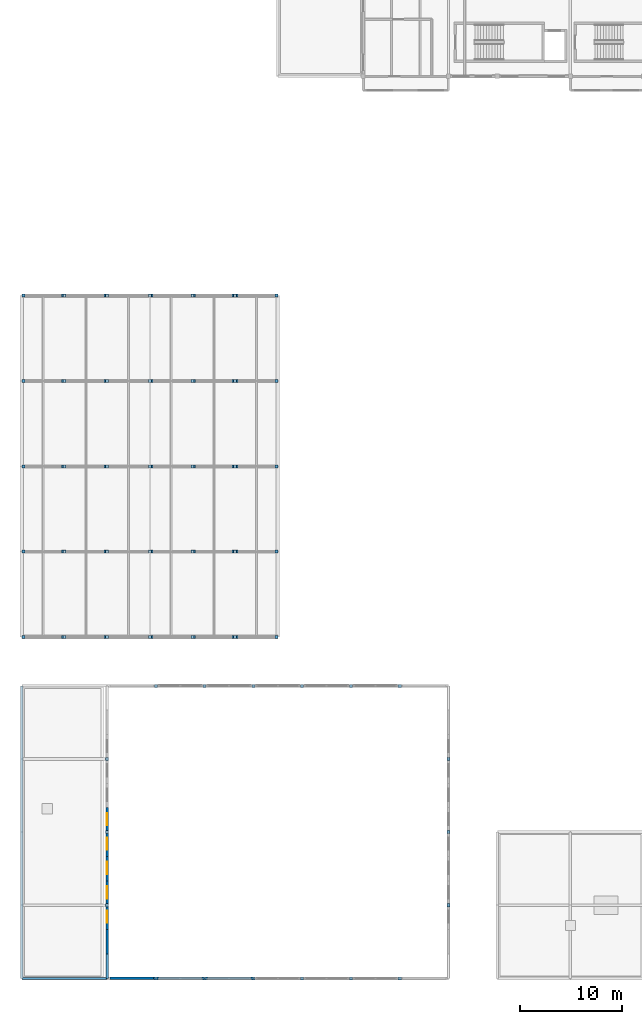
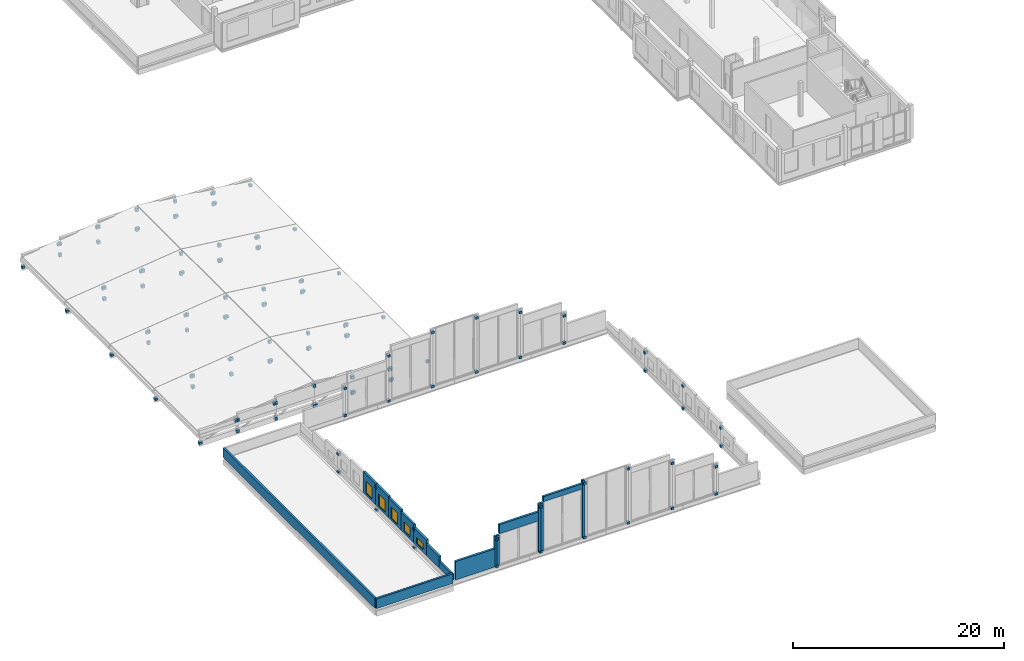
# One storey, part 23 of 34: 126 plates, 17 walls, 5 windows, 5 openings.
"""IFC4 building model written with IfcOpenShell, lengths in metres."""

from ifc_helpers import new_model, si_unit, direction, frame, frame_2d, origin, origin_2d, place, context, subcontext, project, spatial, rectangle, extrude, material, layer, layer_set, type_object, element, fill, save


model = new_model("IFC4")

# Units and contexts
model_context = context("Model", 3, precision=1e-05, world=origin(), true_north=direction((0.0, 1.0)))
body_context = subcontext(model_context, "Body", "Model", "MODEL_VIEW")
ifc_project = project(units=[si_unit("LENGTHUNIT", "METRE"), si_unit("AREAUNIT", "SQUARE_METRE"), si_unit("VOLUMEUNIT", "CUBIC_METRE"), si_unit("PLANEANGLEUNIT", "RADIAN"), si_unit("MASSUNIT", "GRAM", prefix="KILO")], contexts=[model_context])

# Site, building, storey
site_placement = place(None, origin())
site = spatial("IfcSite", under=ifc_project, at=site_placement, CompositionType="ELEMENT")
building_placement = place(site_placement, origin())
building = spatial("IfcBuilding", under=site, at=building_placement, Name="Kahlenmark Community Centre", CompositionType="ELEMENT")
storey_placement = place(building_placement, frame((0.0, 0.0, 17.699951171875)))
storey = spatial("IfcBuildingStorey", under=building, at=storey_placement, Name="L04", CompositionType="ELEMENT", Elevation=17.699951171875)

# Plates
ifc_material_1 = material(Name="Steel S355", Category="steel")
ifc_layer_1 = layer(ifc_material_1, 0.02392578125)
ifc_layer_set_1 = layer_set([ifc_layer_1], Name="Steel S355")
plate_type_1 = type_object("IfcPlateType", Name="PT-NODE-GN-01-30X30X36", PredefinedType="USERDEFINED", material=ifc_layer_set_1)
for number, where, z_axis, x_axis, name in (
    (1, (8.199951171875, 42.39990234375, -1.47998046875), (0.0, 0.0, 1.0), (1.0, 0.0, 0.0), "Steel hollow-node cap plate 0095"),
    (2, (8.199951171875, 42.39990234375, -0.18017578125), (0.0, 0.0, 1.0), (1.0, 0.0, 0.0), "Steel hollow-node cap plate 0096"),
    (3, (12.39990234375, 42.39990234375, -1.47998046875), (0.0, 0.0, 1.0), (1.0, 0.0, 0.0), "Steel hollow-node cap plate 0097"),
    (4, (12.39990234375, 42.39990234375, 0.31982421875), (0.0, 0.0, 1.0), (1.0, 0.0, 0.0), "Steel hollow-node cap plate 0098"),
    (5, (16.60009765625, 42.39990234375, -1.47998046875), (0.0, 0.0, 1.0), (1.0, 0.0, 0.0), "Steel hollow-node cap plate 0099"),
    (6, (16.60009765625, 42.39990234375, 0.81982421875), (0.0, 0.0, 1.0), (1.0, 0.0, 0.0), "Steel hollow-node cap plate 0100"),
    (7, (20.800048828125, 42.39990234375, -1.47998046875), (0.0, 0.0, 1.0), (1.0, 0.0, 0.0), "Steel hollow-node cap plate 0101"),
    (8, (20.800048828125, 42.39990234375, 0.31982421875), (0.0, 0.0, 1.0), (1.0, 0.0, 0.0), "Steel hollow-node cap plate 0102"),
    (9, (25.0, 42.39990234375, -1.47998046875), (0.0, 0.0, 1.0), (1.0, 0.0, 0.0), "Steel hollow-node cap plate 0103"),
    (10, (25.0, 42.39990234375, -0.18017578125), (0.0, 0.0, 1.0), (1.0, 0.0, 0.0), "Steel hollow-node cap plate 0104"),
    (11, (8.199951171875, 50.800048828125, -1.47998046875), (0.0, 0.0, 1.0), (1.0, 0.0, 0.0), "Steel hollow-node cap plate 0113"),
    (12, (8.199951171875, 50.800048828125, -0.18017578125), (0.0, 0.0, 1.0), (1.0, 0.0, 0.0), "Steel hollow-node cap plate 0114"),
    (13, (12.39990234375, 50.800048828125, -1.47998046875), (0.0, 0.0, 1.0), (1.0, 0.0, 0.0), "Steel hollow-node cap plate 0115"),
    (14, (12.39990234375, 50.800048828125, 0.31982421875), (0.0, 0.0, 1.0), (1.0, 0.0, 0.0), "Steel hollow-node cap plate 0116"),
    (15, (16.60009765625, 50.800048828125, -1.47998046875), (0.0, 0.0, 1.0), (1.0, 0.0, 0.0), "Steel hollow-node cap plate 0117"),
    (16, (16.60009765625, 50.800048828125, 0.81982421875), (0.0, 0.0, 1.0), (1.0, 0.0, 0.0), "Steel hollow-node cap plate 0118"),
    (17, (20.800048828125, 50.800048828125, -1.47998046875), (0.0, 0.0, 1.0), (1.0, 0.0, 0.0), "Steel hollow-node cap plate 0119"),
    (18, (20.800048828125, 50.800048828125, 0.31982421875), (0.0, 0.0, 1.0), (1.0, 0.0, 0.0), "Steel hollow-node cap plate 0120"),
    (19, (25.0, 50.800048828125, -1.47998046875), (0.0, 0.0, 1.0), (1.0, 0.0, 0.0), "Steel hollow-node cap plate 0121"),
    (20, (25.0, 50.800048828125, -0.18017578125), (0.0, 0.0, 1.0), (1.0, 0.0, 0.0), "Steel hollow-node cap plate 0122"),
    (21, (8.199951171875, 59.199951171875, -1.47998046875), (0.0, 0.0, 1.0), (1.0, 0.0, 0.0), "Steel hollow-node cap plate 0131"),
    (22, (8.199951171875, 59.199951171875, -0.18017578125), (0.0, 0.0, 1.0), (1.0, 0.0, 0.0), "Steel hollow-node cap plate 0132"),
    (23, (12.39990234375, 59.199951171875, -1.47998046875), (0.0, 0.0, 1.0), (1.0, 0.0, 0.0), "Steel hollow-node cap plate 0133"),
    (24, (12.39990234375, 59.199951171875, 0.31982421875), (0.0, 0.0, 1.0), (1.0, 0.0, 0.0), "Steel hollow-node cap plate 0134"),
    (25, (16.60009765625, 59.199951171875, -1.47998046875), (0.0, 0.0, 1.0), (1.0, 0.0, 0.0), "Steel hollow-node cap plate 0135"),
    (26, (16.60009765625, 59.199951171875, 0.81982421875), (0.0, 0.0, 1.0), (1.0, 0.0, 0.0), "Steel hollow-node cap plate 0136"),
    (27, (20.800048828125, 59.199951171875, -1.47998046875), (0.0, 0.0, 1.0), (1.0, 0.0, 0.0), "Steel hollow-node cap plate 0137"),
    (28, (20.800048828125, 59.199951171875, 0.31982421875), (0.0, 0.0, 1.0), (1.0, 0.0, 0.0), "Steel hollow-node cap plate 0138"),
    (29, (25.0, 59.199951171875, -1.47998046875), (0.0, 0.0, 1.0), (1.0, 0.0, 0.0), "Steel hollow-node cap plate 0139"),
    (30, (25.0, 59.199951171875, -0.18017578125), (0.0, 0.0, 1.0), (1.0, 0.0, 0.0), "Steel hollow-node cap plate 0140"),
    (31, (8.199951171875, 67.60009765625, -1.47998046875), (0.0, 0.0, 1.0), (1.0, 0.0, 0.0), "Steel hollow-node cap plate 0149"),
    (32, (8.199951171875, 67.60009765625, -0.18017578125), (0.0, 0.0, 1.0), (1.0, 0.0, 0.0), "Steel hollow-node cap plate 0150"),
    (33, (12.39990234375, 67.60009765625, -1.47998046875), (0.0, 0.0, 1.0), (1.0, 0.0, 0.0), "Steel hollow-node cap plate 0151"),
    (34, (12.39990234375, 67.60009765625, 0.31982421875), (0.0, 0.0, 1.0), (1.0, 0.0, 0.0), "Steel hollow-node cap plate 0152"),
    (35, (16.60009765625, 67.60009765625, -1.47998046875), (0.0, 0.0, 1.0), (1.0, 0.0, 0.0), "Steel hollow-node cap plate 0153"),
    (36, (16.60009765625, 67.60009765625, 0.81982421875), (0.0, 0.0, 1.0), (1.0, 0.0, 0.0), "Steel hollow-node cap plate 0154"),
    (37, (20.800048828125, 67.60009765625, -1.47998046875), (0.0, 0.0, 1.0), (1.0, 0.0, 0.0), "Steel hollow-node cap plate 0155"),
    (38, (20.800048828125, 67.60009765625, 0.31982421875), (0.0, 0.0, 1.0), (1.0, 0.0, 0.0), "Steel hollow-node cap plate 0156"),
    (39, (25.0, 67.60009765625, -1.47998046875), (0.0, 0.0, 1.0), (1.0, 0.0, 0.0), "Steel hollow-node cap plate 0157"),
    (40, (25.0, 67.60009765625, -0.18017578125), (0.0, 0.0, 1.0), (1.0, 0.0, 0.0), "Steel hollow-node cap plate 0158"),
    (41, (8.199951171875, 76.0, -1.47998046875), (0.0, 0.0, 1.0), (1.0, 0.0, 0.0), "Steel hollow-node cap plate 0167"),
    (42, (8.199951171875, 76.0, -0.18017578125), (0.0, 0.0, 1.0), (1.0, 0.0, 0.0), "Steel hollow-node cap plate 0168"),
    (43, (12.39990234375, 76.0, -1.47998046875), (0.0, 0.0, 1.0), (1.0, 0.0, 0.0), "Steel hollow-node cap plate 0169"),
    (44, (12.39990234375, 76.0, 0.31982421875), (0.0, 0.0, 1.0), (1.0, 0.0, 0.0), "Steel hollow-node cap plate 0170"),
    (45, (16.60009765625, 76.0, -1.47998046875), (0.0, 0.0, 1.0), (1.0, 0.0, 0.0), "Steel hollow-node cap plate 0171"),
    (46, (16.60009765625, 76.0, 0.81982421875), (0.0, 0.0, 1.0), (1.0, 0.0, 0.0), "Steel hollow-node cap plate 0172"),
    (47, (20.800048828125, 76.0, -1.47998046875), (0.0, 0.0, 1.0), (1.0, 0.0, 0.0), "Steel hollow-node cap plate 0173"),
    (48, (20.800048828125, 76.0, 0.31982421875), (0.0, 0.0, 1.0), (1.0, 0.0, 0.0), "Steel hollow-node cap plate 0174"),
    (49, (25.0, 76.0, -1.47998046875), (0.0, 0.0, 1.0), (1.0, 0.0, 0.0), "Steel hollow-node cap plate 0175"),
    (50, (25.0, 76.0, -0.18017578125), (0.0, 0.0, 1.0), (1.0, 0.0, 0.0), "Steel hollow-node cap plate 0176"),
):
    element("IfcPlate", number, at=place(storey_placement, frame(where, z_axis=z_axis, x_axis=x_axis)), inside=storey, type_object=plate_type_1, Name=name, ObjectType="STIFFENER_PLATE", PredefinedType="USERDEFINED", context=body_context, shape_type="SweptSolid", body=[
        extrude(rectangle(XDim=0.300048828125, YDim=0.300048828125, at=origin_2d()), origin(), (0.0, 0.0, 1.0), 0.360107421875),
    ])
ifc_layer_2 = layer(ifc_material_1, 0.02392578125)
ifc_layer_set_2 = layer_set([ifc_layer_2], Name="Steel S355")
plate_type_2 = type_object("IfcPlateType", Name="PT-NODE-GN-05-30X30X28", PredefinedType="USERDEFINED", material=ifc_layer_set_2)
for number, where, z_axis, x_axis, name in (
    (51, (12.39990234375, 16.0, -0.43994140625), (0.0, 0.0, 1.0), (1.0, 0.0, 0.0), "Steel hollow-node cap plate 0001"),
    (52, (12.39990234375, 16.0, 1.69287109375), (0.0, 0.0, 1.0), (1.0, 0.0, 0.0), "Steel hollow-node cap plate 0002"),
    (53, (12.39990234375, 23.199951171875, -0.43994140625), (0.0, 0.0, 1.0), (1.0, 0.0, 0.0), "Steel hollow-node cap plate 0003"),
    (54, (12.39990234375, 23.199951171875, 2.19384765625), (0.0, 0.0, 1.0), (1.0, 0.0, 0.0), "Steel hollow-node cap plate 0004"),
    (55, (12.39990234375, 30.39990234375, -0.43994140625), (0.0, 0.0, 1.0), (1.0, 0.0, 0.0), "Steel hollow-node cap plate 0005"),
    (56, (12.39990234375, 30.39990234375, 1.69287109375), (0.0, 0.0, 1.0), (1.0, 0.0, 0.0), "Steel hollow-node cap plate 0006"),
    (57, (17.199951171875, 8.800048828125, 0.14013671875), (0.0, 0.0, 1.0), (1.0, 0.0, 0.0), "Steel hollow-node cap plate 0007"),
    (58, (17.199951171875, 8.800048828125, 3.27783203125), (0.0, 0.0, 1.0), (1.0, 0.0, 0.0), "Steel hollow-node cap plate 0008"),
    (59, (17.199951171875, 37.60009765625, 0.14013671875), (0.0, 0.0, 1.0), (1.0, 0.0, 0.0), "Steel hollow-node cap plate 0009"),
    (60, (17.199951171875, 37.60009765625, 3.27783203125), (0.0, 0.0, 1.0), (1.0, 0.0, 0.0), "Steel hollow-node cap plate 0010"),
    (61, (22.0, 8.800048828125, 0.14013671875), (0.0, 0.0, 1.0), (1.0, 0.0, 0.0), "Steel hollow-node cap plate 0011"),
    (62, (22.0, 8.800048828125, 5.3564453125), (0.0, 0.0, 1.0), (1.0, 0.0, 0.0), "Steel hollow-node cap plate 0012"),
    (63, (22.0, 37.60009765625, 0.14013671875), (0.0, 0.0, 1.0), (1.0, 0.0, 0.0), "Steel hollow-node cap plate 0013"),
    (64, (22.0, 37.60009765625, 5.3564453125), (0.0, 0.0, 1.0), (1.0, 0.0, 0.0), "Steel hollow-node cap plate 0014"),
    (65, (26.800048828125, 8.800048828125, 0.14013671875), (0.0, 0.0, 1.0), (1.0, 0.0, 0.0), "Steel hollow-node cap plate 0015"),
    (66, (26.800048828125, 8.800048828125, 6.39599609375), (0.0, 0.0, 1.0), (1.0, 0.0, 0.0), "Steel hollow-node cap plate 0016"),
    (67, (26.800048828125, 37.60009765625, 0.14013671875), (0.0, 0.0, 1.0), (1.0, 0.0, 0.0), "Steel hollow-node cap plate 0017"),
    (68, (26.800048828125, 37.60009765625, 6.39599609375), (0.0, 0.0, 1.0), (1.0, 0.0, 0.0), "Steel hollow-node cap plate 0018"),
    (69, (31.60009765625, 8.800048828125, 0.14013671875), (0.0, 0.0, 1.0), (1.0, 0.0, 0.0), "Steel hollow-node cap plate 0019"),
    (70, (31.60009765625, 8.800048828125, 6.39599609375), (0.0, 0.0, 1.0), (1.0, 0.0, 0.0), "Steel hollow-node cap plate 0020"),
    (71, (31.60009765625, 37.60009765625, 0.14013671875), (0.0, 0.0, 1.0), (1.0, 0.0, 0.0), "Steel hollow-node cap plate 0021"),
    (72, (31.60009765625, 37.60009765625, 6.39599609375), (0.0, 0.0, 1.0), (1.0, 0.0, 0.0), "Steel hollow-node cap plate 0022"),
    (73, (36.39990234375, 8.800048828125, 0.14013671875), (0.0, 0.0, 1.0), (1.0, 0.0, 0.0), "Steel hollow-node cap plate 0023"),
    (74, (36.39990234375, 8.800048828125, 5.3564453125), (0.0, 0.0, 1.0), (1.0, 0.0, 0.0), "Steel hollow-node cap plate 0024"),
    (75, (36.39990234375, 37.60009765625, 0.14013671875), (0.0, 0.0, 1.0), (1.0, 0.0, 0.0), "Steel hollow-node cap plate 0025"),
    (76, (36.39990234375, 37.60009765625, 5.3564453125), (0.0, 0.0, 1.0), (1.0, 0.0, 0.0), "Steel hollow-node cap plate 0026"),
    (77, (41.199951171875, 8.800048828125, 0.14013671875), (0.0, 0.0, 1.0), (1.0, 0.0, 0.0), "Steel hollow-node cap plate 0027"),
    (78, (41.199951171875, 8.800048828125, 3.27783203125), (0.0, 0.0, 1.0), (1.0, 0.0, 0.0), "Steel hollow-node cap plate 0028"),
    (79, (41.199951171875, 37.60009765625, 0.14013671875), (0.0, 0.0, 1.0), (1.0, 0.0, 0.0), "Steel hollow-node cap plate 0029"),
    (80, (41.199951171875, 37.60009765625, 3.27783203125), (0.0, 0.0, 1.0), (1.0, 0.0, 0.0), "Steel hollow-node cap plate 0030"),
    (81, (46.0, 16.0, -0.43994140625), (0.0, 0.0, 1.0), (1.0, 0.0, 0.0), "Steel hollow-node cap plate 0031"),
    (82, (46.0, 16.0, 1.69287109375), (0.0, 0.0, 1.0), (1.0, 0.0, 0.0), "Steel hollow-node cap plate 0032"),
    (83, (46.0, 23.199951171875, -0.43994140625), (0.0, 0.0, 1.0), (1.0, 0.0, 0.0), "Steel hollow-node cap plate 0033"),
    (84, (46.0, 23.199951171875, 2.19384765625), (0.0, 0.0, 1.0), (1.0, 0.0, 0.0), "Steel hollow-node cap plate 0034"),
    (85, (46.0, 30.39990234375, -0.43994140625), (0.0, 0.0, 1.0), (1.0, 0.0, 0.0), "Steel hollow-node cap plate 0035"),
    (86, (46.0, 30.39990234375, 1.69287109375), (0.0, 0.0, 1.0), (1.0, 0.0, 0.0), "Steel hollow-node cap plate 0036"),
):
    element("IfcPlate", number, at=place(storey_placement, frame(where, z_axis=z_axis, x_axis=x_axis)), inside=storey, type_object=plate_type_2, Name=name, ObjectType="STIFFENER_PLATE", PredefinedType="USERDEFINED", context=body_context, shape_type="SweptSolid", body=[
        extrude(rectangle(XDim=0.300048828125, YDim=0.300048828125, at=origin_2d()), origin(), (0.0, 0.0, 1.0), 0.280029296875),
    ])
ifc_layer_3 = layer(ifc_material_1, 0.02392578125)
ifc_layer_set_3 = layer_set([ifc_layer_3], Name="Steel S355")
plate_type_3 = type_object("IfcPlateType", Name="PT-NODE-TN-01-30X30X28", PredefinedType="USERDEFINED", material=ifc_layer_set_3)
for number, where, z_axis, x_axis, name in (
    (87, (4.14990234375, 42.39990234375, -1.39013671875), (0.0, 0.0, 1.0), (1.0, 0.0, 0.0), "Steel hollow-node cap plate 0105"),
    (88, (8.050048828125, 42.39990234375, -0.18994140625), (0.0, 0.0, 1.0), (1.0, 0.0, 0.0), "Steel hollow-node cap plate 0106"),
    (89, (12.25, 42.39990234375, 0.31005859375), (0.0, 0.0, 1.0), (1.0, 0.0, 0.0), "Steel hollow-node cap plate 0107"),
    (90, (16.75, 42.39990234375, -1.39013671875), (0.0, 0.0, 1.0), (1.0, 0.0, 0.0), "Steel hollow-node cap plate 0108"),
    (91, (20.949951171875, 42.39990234375, -1.39013671875), (0.0, 0.0, 1.0), (1.0, 0.0, 0.0), "Steel hollow-node cap plate 0109"),
    (92, (24.85009765625, 42.39990234375, -0.18994140625), (0.0, 0.0, 1.0), (1.0, 0.0, 0.0), "Steel hollow-node cap plate 0110"),
    (93, (25.14990234375, 42.39990234375, -1.39013671875), (0.0, 0.0, 1.0), (1.0, 0.0, 0.0), "Steel hollow-node cap plate 0111"),
    (94, (29.050048828125, 42.39990234375, -0.68994140625), (0.0, 0.0, 1.0), (1.0, 0.0, 0.0), "Steel hollow-node cap plate 0112"),
    (95, (4.14990234375, 50.800048828125, -1.39013671875), (0.0, 0.0, 1.0), (1.0, 0.0, 0.0), "Steel hollow-node cap plate 0123"),
    (96, (8.050048828125, 50.800048828125, -0.18994140625), (0.0, 0.0, 1.0), (1.0, 0.0, 0.0), "Steel hollow-node cap plate 0124"),
    (97, (12.25, 50.800048828125, 0.31005859375), (0.0, 0.0, 1.0), (1.0, 0.0, 0.0), "Steel hollow-node cap plate 0125"),
    (98, (16.75, 50.800048828125, -1.39013671875), (0.0, 0.0, 1.0), (1.0, 0.0, 0.0), "Steel hollow-node cap plate 0126"),
    (99, (20.949951171875, 50.800048828125, -1.39013671875), (0.0, 0.0, 1.0), (1.0, 0.0, 0.0), "Steel hollow-node cap plate 0127"),
    (100, (24.85009765625, 50.800048828125, -0.18994140625), (0.0, 0.0, 1.0), (1.0, 0.0, 0.0), "Steel hollow-node cap plate 0128"),
    (101, (25.14990234375, 50.800048828125, -1.39013671875), (0.0, 0.0, 1.0), (1.0, 0.0, 0.0), "Steel hollow-node cap plate 0129"),
    (102, (29.050048828125, 50.800048828125, -0.68994140625), (0.0, 0.0, 1.0), (1.0, 0.0, 0.0), "Steel hollow-node cap plate 0130"),
    (103, (4.14990234375, 59.199951171875, -1.39013671875), (0.0, 0.0, 1.0), (1.0, 0.0, 0.0), "Steel hollow-node cap plate 0141"),
    (104, (8.050048828125, 59.199951171875, -0.18994140625), (0.0, 0.0, 1.0), (1.0, 0.0, 0.0), "Steel hollow-node cap plate 0142"),
    (105, (12.25, 59.199951171875, 0.31005859375), (0.0, 0.0, 1.0), (1.0, 0.0, 0.0), "Steel hollow-node cap plate 0143"),
    (106, (16.75, 59.199951171875, -1.39013671875), (0.0, 0.0, 1.0), (1.0, 0.0, 0.0), "Steel hollow-node cap plate 0144"),
    (107, (20.949951171875, 59.199951171875, -1.39013671875), (0.0, 0.0, 1.0), (1.0, 0.0, 0.0), "Steel hollow-node cap plate 0145"),
    (108, (24.85009765625, 59.199951171875, -0.18994140625), (0.0, 0.0, 1.0), (1.0, 0.0, 0.0), "Steel hollow-node cap plate 0146"),
    (109, (25.14990234375, 59.199951171875, -1.39013671875), (0.0, 0.0, 1.0), (1.0, 0.0, 0.0), "Steel hollow-node cap plate 0147"),
    (110, (29.050048828125, 59.199951171875, -0.68994140625), (0.0, 0.0, 1.0), (1.0, 0.0, 0.0), "Steel hollow-node cap plate 0148"),
    (111, (4.14990234375, 67.60009765625, -1.39013671875), (0.0, 0.0, 1.0), (1.0, 0.0, 0.0), "Steel hollow-node cap plate 0159"),
    (112, (8.050048828125, 67.60009765625, -0.18994140625), (0.0, 0.0, 1.0), (1.0, 0.0, 0.0), "Steel hollow-node cap plate 0160"),
    (113, (12.25, 67.60009765625, 0.31005859375), (0.0, 0.0, 1.0), (1.0, 0.0, 0.0), "Steel hollow-node cap plate 0161"),
    (114, (16.75, 67.60009765625, -1.39013671875), (0.0, 0.0, 1.0), (1.0, 0.0, 0.0), "Steel hollow-node cap plate 0162"),
    (115, (20.949951171875, 67.60009765625, -1.39013671875), (0.0, 0.0, 1.0), (1.0, 0.0, 0.0), "Steel hollow-node cap plate 0163"),
    (116, (24.85009765625, 67.60009765625, -0.18994140625), (0.0, 0.0, 1.0), (1.0, 0.0, 0.0), "Steel hollow-node cap plate 0164"),
    (117, (25.14990234375, 67.60009765625, -1.39013671875), (0.0, 0.0, 1.0), (1.0, 0.0, 0.0), "Steel hollow-node cap plate 0165"),
    (118, (29.050048828125, 67.60009765625, -0.68994140625), (0.0, 0.0, 1.0), (1.0, 0.0, 0.0), "Steel hollow-node cap plate 0166"),
    (119, (4.14990234375, 76.0, -1.39013671875), (0.0, 0.0, 1.0), (1.0, 0.0, 0.0), "Steel hollow-node cap plate 0177"),
    (120, (8.050048828125, 76.0, -0.18994140625), (0.0, 0.0, 1.0), (1.0, 0.0, 0.0), "Steel hollow-node cap plate 0178"),
    (121, (12.25, 76.0, 0.31005859375), (0.0, 0.0, 1.0), (1.0, 0.0, 0.0), "Steel hollow-node cap plate 0179"),
    (122, (16.75, 76.0, -1.39013671875), (0.0, 0.0, 1.0), (1.0, 0.0, 0.0), "Steel hollow-node cap plate 0180"),
    (123, (20.949951171875, 76.0, -1.39013671875), (0.0, 0.0, 1.0), (1.0, 0.0, 0.0), "Steel hollow-node cap plate 0181"),
    (124, (24.85009765625, 76.0, -0.18994140625), (0.0, 0.0, 1.0), (1.0, 0.0, 0.0), "Steel hollow-node cap plate 0182"),
    (125, (25.14990234375, 76.0, -1.39013671875), (0.0, 0.0, 1.0), (1.0, 0.0, 0.0), "Steel hollow-node cap plate 0183"),
    (126, (29.050048828125, 76.0, -0.68994140625), (0.0, 0.0, 1.0), (1.0, 0.0, 0.0), "Steel hollow-node cap plate 0184"),
):
    element("IfcPlate", number, at=place(storey_placement, frame(where, z_axis=z_axis, x_axis=x_axis)), inside=storey, type_object=plate_type_3, Name=name, ObjectType="STIFFENER_PLATE", PredefinedType="USERDEFINED", context=body_context, shape_type="SweptSolid", body=[
        extrude(rectangle(XDim=0.300048828125, YDim=0.300048828125, at=origin_2d()), origin(), (0.0, 0.0, 1.0), 0.280029296875),
    ])

# Walls
ifc_material_2 = material(Name="Cross-laminated timber CLT C24", Category="wood")
ifc_layer_4 = layer(ifc_material_2, 0.239990234375)
ifc_layer_set_4 = layer_set([ifc_layer_4], Name="Cross-laminated timber CLT C24")
wall_type_1 = type_object("IfcWallType", Name="WT-EW-240", PredefinedType="SOLIDWALL", material=ifc_layer_set_4)
wall_1_placement = place(storey_placement, frame((16.93994140625, 8.800048828125, 0.300048828125), z_axis=(0.0, 0.0, 1.0), x_axis=(1.0, 0.0, 0.0)))
element("IfcWall", 127, at=wall_1_placement, inside=storey, type_object=wall_type_1, Name="Main Hall arch pier 0856", PredefinedType="SOLIDWALL", context=body_context, shape_type="SweptSolid", body=[
    extrude(rectangle(XDim=0.260009765625, YDim=0.239990234375, at=frame_2d((0.1298828125, 0.0))), origin(), (0.0, 0.0, 1.0), 3.51806640625),
])
wall_2_placement = place(storey_placement, frame((12.659912109375, 8.800048828125, 0.300048828125), z_axis=(0.0, 0.0, 1.0), x_axis=(1.0, 0.0, 0.0)))
element("IfcWall", 128, at=wall_2_placement, inside=storey, type_object=wall_type_1, Name="Main Hall arch haunch wall 0857", PredefinedType="SOLIDWALL", context=body_context, shape_type="SweptSolid", body=[
    extrude(rectangle(XDim=4.280029296875, YDim=0.239990234375, at=frame_2d((2.14013671875, 0.0))), origin(), (0.0, 0.0, 1.0), 2.10888671875),
])
wall_3_placement = place(storey_placement, frame((17.199951171875, 8.800048828125, 0.300048828125), z_axis=(0.0, 0.0, 1.0), x_axis=(1.0, 0.0, 0.0)))
element("IfcWall", 129, at=wall_3_placement, inside=storey, type_object=wall_type_1, Name="Main Hall arch pier 0858", PredefinedType="SOLIDWALL", context=body_context, shape_type="SweptSolid", body=[
    extrude(rectangle(XDim=0.260009765625, YDim=0.239990234375, at=frame_2d((0.1298828125, 0.0))), origin(), (0.0, 0.0, 1.0), 3.51806640625),
])
wall_4_placement = place(storey_placement, frame((21.739990234375, 8.800048828125, 0.300048828125), z_axis=(0.0, 0.0, 1.0), x_axis=(1.0, 0.0, 0.0)))
element("IfcWall", 130, at=wall_4_placement, inside=storey, type_object=wall_type_1, Name="Main Hall arch pier 0859", PredefinedType="SOLIDWALL", context=body_context, shape_type="SweptSolid", body=[
    extrude(rectangle(XDim=0.260009765625, YDim=0.239990234375, at=frame_2d((0.1298828125, 0.0))), origin(), (0.0, 0.0, 1.0), 5.5966796875),
])
wall_5_placement = place(storey_placement, frame((17.4599609375, 8.800048828125, 3.957275390625), z_axis=(0.0, 0.0, 1.0), x_axis=(1.0, 0.0, 0.0)))
element("IfcWall", 131, at=wall_5_placement, inside=storey, type_object=wall_type_1, Name="Main Hall arch crown spandrel 0860", PredefinedType="SOLIDWALL", context=body_context, shape_type="SweptSolid", body=[
    extrude(rectangle(XDim=4.280029296875, YDim=0.239990234375, at=frame_2d((2.14013671875, 0.0))), origin(), (0.0, 0.0, 1.0), 1.050048828125),
])
wall_6_placement = place(storey_placement, frame((22.0, 8.800048828125, 0.300048828125), z_axis=(0.0, 0.0, 1.0), x_axis=(1.0, 0.0, 0.0)))
element("IfcWall", 132, at=wall_6_placement, inside=storey, type_object=wall_type_1, Name="Main Hall arch pier 0861", PredefinedType="SOLIDWALL", context=body_context, shape_type="SweptSolid", body=[
    extrude(rectangle(XDim=0.260009765625, YDim=0.239990234375, at=frame_2d((0.1298828125, 0.0))), origin(), (0.0, 0.0, 1.0), 5.5966796875),
])
wall_7_placement = place(storey_placement, frame((26.5400390625, 8.800048828125, 0.300048828125), z_axis=(0.0, 0.0, 1.0), x_axis=(1.0, 0.0, 0.0)))
element("IfcWall", 133, at=wall_7_placement, inside=storey, type_object=wall_type_1, Name="Main Hall arch pier 0862", PredefinedType="SOLIDWALL", context=body_context, shape_type="SweptSolid", body=[
    extrude(rectangle(XDim=0.260009765625, YDim=0.239990234375, at=frame_2d((0.1298828125, 0.0))), origin(), (0.0, 0.0, 1.0), 6.635986328125),
])
wall_8_placement = place(storey_placement, frame((22.260009765625, 8.800048828125, 5.979736328125), z_axis=(0.0, 0.0, 1.0), x_axis=(1.0, 0.0, 0.0)))
element("IfcWall", 134, at=wall_8_placement, inside=storey, type_object=wall_type_1, Name="Main Hall arch crown spandrel 0863", PredefinedType="SOLIDWALL", context=body_context, shape_type="SweptSolid", body=[
    extrude(rectangle(XDim=4.280029296875, YDim=0.239990234375, at=frame_2d((2.14013671875, 0.0))), origin(), (0.0, 0.0, 1.0), 0.58642578125),
])
wall_9_placement = place(storey_placement, frame((12.39990234375, 8.800048828125, 0.300048828125), z_axis=(0.0, 0.0, 1.0), x_axis=(0.0, 1.0, 0.0)))
element("IfcWall", 135, at=wall_9_placement, inside=storey, type_object=wall_type_1, Name="Main Hall lunette wall WL-TYMP-EW-0892", PredefinedType="SOLIDWALL", context=body_context, shape_type="SweptSolid", body=[
    extrude(rectangle(XDim=2.39990234375, YDim=0.239990234375, at=frame_2d((1.199951171875, 0.0))), origin(), (0.0, 0.0, 1.0), 0.750244140625),
])
wall_10_placement = place(storey_placement, frame((12.39990234375, 11.199951171875, 0.300048828125), z_axis=(0.0, 0.0, 1.0), x_axis=(0.0, 1.0, 0.0)))
element("IfcWall", 136, at=wall_10_placement, inside=storey, type_object=wall_type_1, Name="Main Hall lunette wall WL-TYMP-EW-0893", PredefinedType="SOLIDWALL", context=body_context, shape_type="SweptSolid", body=[
    extrude(rectangle(XDim=2.400146484375, YDim=0.239990234375, at=frame_2d((1.2001953125, 0.0))), origin(), (0.0, 0.0, 1.0), 1.319580078125),
])

# Wall, opening, window
wall_11_placement = place(storey_placement, frame((12.39990234375, 13.60009765625, 0.300048828125), z_axis=(0.0, 0.0, 1.0), x_axis=(0.0, 1.0, 0.0)))
wall_11 = element("IfcWall", 137, at=wall_11_placement, inside=storey, type_object=wall_type_1, Name="Main Hall lunette wall WL-TYMP-EW-0894", PredefinedType="SOLIDWALL", context=body_context, shape_type="SweptSolid", body=[
    extrude(rectangle(XDim=2.39990234375, YDim=0.239990234375, at=frame_2d((1.199951171875, 0.0))), origin(), (0.0, 0.0, 1.0), 1.770751953125),
])
opening_1_placement = place(wall_11_placement, frame((0.659912109375, 0.0, 0.25)))
opening_1 = element("IfcOpeningElement", 138, at=opening_1_placement, cuts=wall_11, Name="Opening W-120X073", PredefinedType="OPENING", context=body_context, shape_type="SweptSolid", body=[
    extrude(rectangle(XDim=1.199951171875, YDim=0.73095703125, at=frame_2d((0.60009765625, 0.365478515625))), frame((0.0, 0.1298828125, 0.0), z_axis=(0.0, -1.0, 0.0), x_axis=(1.0, 0.0, 0.0)), (0.0, 0.0, 1.0), 0.260009765625),
])
ifc_material_3 = material(Name="Triple low-e insulated glazing in timber-aluminium frame", Category="wood")
window_type_1 = type_object("IfcWindowType", Name="WNT-120X073", PartitioningType="SINGLE_PANEL", PredefinedType="WINDOW", material=ifc_material_3)
window_1_placement = place(opening_1_placement, origin())
window_1 = element("IfcWindow", 139, at=window_1_placement, inside=storey, type_object=window_type_1, Name="Window W-120X073 #0535", OverallHeight=0.73095703125, OverallWidth=1.199951171875, PartitioningType="SINGLE_PANEL", PredefinedType="WINDOW", context=body_context, shape_type="SweptSolid", body=[
    extrude(rectangle(XDim=1.199951171875, YDim=0.73095703125, at=frame_2d((0.60009765625, 0.365478515625))), frame((0.0, 0.030029296875, 0.0), z_axis=(0.0, -1.0, 0.0), x_axis=(1.0, 0.0, 0.0)), (0.0, 0.0, 1.0), 0.06005859375),
])
fill(opening_1, window_1)

wall_12_placement = place(storey_placement, frame((12.39990234375, 16.0, 0.300048828125), z_axis=(0.0, 0.0, 1.0), x_axis=(0.0, 1.0, 0.0)))
wall_12 = element("IfcWall", 140, at=wall_12_placement, inside=storey, type_object=wall_type_1, Name="Main Hall lunette wall WL-TYMP-EW-0895", PredefinedType="SOLIDWALL", context=body_context, shape_type="SweptSolid", body=[
    extrude(rectangle(XDim=2.39990234375, YDim=0.239990234375, at=frame_2d((1.199951171875, 0.0))), origin(), (0.0, 0.0, 1.0), 2.106201171875),
])
opening_2_placement = place(wall_12_placement, frame((0.659912109375, 0.0, 0.25)))
opening_2 = element("IfcOpeningElement", 141, at=opening_2_placement, cuts=wall_12, Name="Opening W-120X107", PredefinedType="OPENING", context=body_context, shape_type="SweptSolid", body=[
    extrude(rectangle(XDim=1.199951171875, YDim=1.06591796875, at=frame_2d((0.60009765625, 0.532958984375))), frame((0.0, 0.1298828125, 0.0), z_axis=(0.0, -1.0, 0.0), x_axis=(1.0, 0.0, 0.0)), (0.0, 0.0, 1.0), 0.260009765625),
])
window_type_2 = type_object("IfcWindowType", Name="WNT-120X107", PartitioningType="SINGLE_PANEL", PredefinedType="WINDOW", material=ifc_material_3)
window_2_placement = place(opening_2_placement, origin())
window_2 = element("IfcWindow", 142, at=window_2_placement, inside=storey, type_object=window_type_2, Name="Window W-120X107 #0536", OverallHeight=1.06591796875, OverallWidth=1.199951171875, PartitioningType="SINGLE_PANEL", PredefinedType="WINDOW", context=body_context, shape_type="SweptSolid", body=[
    extrude(rectangle(XDim=1.199951171875, YDim=1.06591796875, at=frame_2d((0.60009765625, 0.532958984375))), frame((0.0, 0.030029296875, 0.0), z_axis=(0.0, -1.0, 0.0), x_axis=(1.0, 0.0, 0.0)), (0.0, 0.0, 1.0), 0.06005859375),
])
fill(opening_2, window_2)

wall_13_placement = place(storey_placement, frame((12.39990234375, 18.39990234375, 0.300048828125), z_axis=(0.0, 0.0, 1.0), x_axis=(0.0, 1.0, 0.0)))
wall_13 = element("IfcWall", 143, at=wall_13_placement, inside=storey, type_object=wall_type_1, Name="Main Hall lunette wall WL-TYMP-EW-0896", PredefinedType="SOLIDWALL", context=body_context, shape_type="SweptSolid", body=[
    extrude(rectangle(XDim=2.400146484375, YDim=0.239990234375, at=frame_2d((1.2001953125, 0.0))), origin(), (0.0, 0.0, 1.0), 2.328857421875),
])
opening_3_placement = place(wall_13_placement, frame((0.659912109375, 0.0, 0.25)))
opening_3 = element("IfcOpeningElement", 144, at=opening_3_placement, cuts=wall_13, Name="Opening W-120X129", PredefinedType="OPENING", context=body_context, shape_type="SweptSolid", body=[
    extrude(rectangle(XDim=1.199951171875, YDim=1.2890625, at=frame_2d((0.60009765625, 0.64453125))), frame((0.0, 0.1298828125, 0.0), z_axis=(0.0, -1.0, 0.0), x_axis=(1.0, 0.0, 0.0)), (0.0, 0.0, 1.0), 0.260009765625),
])
window_type_3 = type_object("IfcWindowType", Name="WNT-120X129", PartitioningType="SINGLE_PANEL", PredefinedType="WINDOW", material=ifc_material_3)
window_3_placement = place(opening_3_placement, origin())
window_3 = element("IfcWindow", 145, at=window_3_placement, inside=storey, type_object=window_type_3, Name="Window W-120X129 #0537", OverallHeight=1.2890625, OverallWidth=1.199951171875, PartitioningType="SINGLE_PANEL", PredefinedType="WINDOW", context=body_context, shape_type="SweptSolid", body=[
    extrude(rectangle(XDim=1.199951171875, YDim=1.2890625, at=frame_2d((0.60009765625, 0.64453125))), frame((0.0, 0.030029296875, 0.0), z_axis=(0.0, -1.0, 0.0), x_axis=(1.0, 0.0, 0.0)), (0.0, 0.0, 1.0), 0.06005859375),
])
fill(opening_3, window_3)

wall_14_placement = place(storey_placement, frame((12.39990234375, 20.800048828125, 0.300048828125), z_axis=(0.0, 0.0, 1.0), x_axis=(0.0, 1.0, 0.0)))
wall_14 = element("IfcWall", 146, at=wall_14_placement, inside=storey, type_object=wall_type_1, Name="Main Hall lunette wall WL-TYMP-EW-0897", PredefinedType="SOLIDWALL", context=body_context, shape_type="SweptSolid", body=[
    extrude(rectangle(XDim=2.39990234375, YDim=0.239990234375, at=frame_2d((1.199951171875, 0.0))), origin(), (0.0, 0.0, 1.0), 2.439697265625),
])
opening_4_placement = place(wall_14_placement, frame((0.659912109375, 0.0, 0.25)))
opening_4 = element("IfcOpeningElement", 147, at=opening_4_placement, cuts=wall_14, Name="Opening W-120X140", PredefinedType="OPENING", context=body_context, shape_type="SweptSolid", body=[
    extrude(rectangle(XDim=1.199951171875, YDim=1.39990234375, at=frame_2d((0.60009765625, 0.699951171875))), frame((0.0, 0.1298828125, 0.0), z_axis=(0.0, -1.0, 0.0), x_axis=(1.0, 0.0, 0.0)), (0.0, 0.0, 1.0), 0.260009765625),
])
window_type_4 = type_object("IfcWindowType", Name="WNT-120X140", PartitioningType="SINGLE_PANEL", PredefinedType="WINDOW", material=ifc_material_3)
window_4_placement = place(opening_4_placement, origin())
window_4 = element("IfcWindow", 148, at=window_4_placement, inside=storey, type_object=window_type_4, Name="Window W-120X140 #0538", OverallHeight=1.39990234375, OverallWidth=1.199951171875, PartitioningType="SINGLE_PANEL", PredefinedType="WINDOW", context=body_context, shape_type="SweptSolid", body=[
    extrude(rectangle(XDim=1.199951171875, YDim=1.39990234375, at=frame_2d((0.60009765625, 0.699951171875))), frame((0.0, 0.030029296875, 0.0), z_axis=(0.0, -1.0, 0.0), x_axis=(1.0, 0.0, 0.0)), (0.0, 0.0, 1.0), 0.06005859375),
])
fill(opening_4, window_4)

wall_15_placement = place(storey_placement, frame((12.39990234375, 23.199951171875, 0.300048828125), z_axis=(0.0, 0.0, 1.0), x_axis=(0.0, 1.0, 0.0)))
wall_15 = element("IfcWall", 149, at=wall_15_placement, inside=storey, type_object=wall_type_1, Name="Main Hall lunette wall WL-TYMP-EW-0898", PredefinedType="SOLIDWALL", context=body_context, shape_type="SweptSolid", body=[
    extrude(rectangle(XDim=2.400146484375, YDim=0.239990234375, at=frame_2d((1.2001953125, 0.0))), origin(), (0.0, 0.0, 1.0), 2.439697265625),
])
opening_5_placement = place(wall_15_placement, frame((0.659912109375, 0.0, 0.25)))
opening_5 = element("IfcOpeningElement", 150, at=opening_5_placement, cuts=wall_15, Name="Opening W-120X140", PredefinedType="OPENING", context=body_context, shape_type="SweptSolid", body=[
    extrude(rectangle(XDim=1.199951171875, YDim=1.39990234375, at=frame_2d((0.60009765625, 0.699951171875))), frame((0.0, 0.1298828125, 0.0), z_axis=(0.0, -1.0, 0.0), x_axis=(1.0, 0.0, 0.0)), (0.0, 0.0, 1.0), 0.260009765625),
])
window_5_placement = place(opening_5_placement, origin())
window_5 = element("IfcWindow", 151, at=window_5_placement, inside=storey, type_object=window_type_4, Name="Window W-120X140 #0539", OverallHeight=1.39990234375, OverallWidth=1.199951171875, PartitioningType="SINGLE_PANEL", PredefinedType="WINDOW", context=body_context, shape_type="SweptSolid", body=[
    extrude(rectangle(XDim=1.199951171875, YDim=1.39990234375, at=frame_2d((0.60009765625, 0.699951171875))), frame((0.0, 0.030029296875, 0.0), z_axis=(0.0, -1.0, 0.0), x_axis=(1.0, 0.0, 0.0)), (0.0, 0.0, 1.0), 0.06005859375),
])
fill(opening_5, window_5)

# Walls
ifc_material_4 = material(Name="Concrete C30/37", Category="concrete")
ifc_layer_5 = layer(ifc_material_4, 0.219970703125)
ifc_layer_set_5 = layer_set([ifc_layer_5], Name="Concrete C30/37")
wall_type_2 = type_object("IfcWallType", Name="WT-PAR-220", PredefinedType="PARAPET", material=ifc_layer_set_5)
wall_16_placement = place(storey_placement, frame((4.0, 8.800048828125, 0.0), z_axis=(0.0, 0.0, 1.0), x_axis=(1.0, 0.0, 0.0)))
element("IfcWall", 152, at=wall_16_placement, inside=storey, type_object=wall_type_2, Name="Roof parapet 1045", PredefinedType="PARAPET", context=body_context, shape_type="SweptSolid", body=[
    extrude(rectangle(XDim=8.39990234375, YDim=0.219970703125, at=frame_2d((4.199951171875, 0.0))), origin(), (0.0, 0.0, 1.0), 1.1201171875),
])
wall_17_placement = place(storey_placement, frame((4.0, 8.800048828125, 0.0), z_axis=(0.0, 0.0, 1.0), x_axis=(0.0, 1.0, 0.0)))
element("IfcWall", 153, at=wall_17_placement, inside=storey, type_object=wall_type_2, Name="Roof parapet 1047", PredefinedType="PARAPET", context=body_context, shape_type="SweptSolid", body=[
    extrude(rectangle(XDim=28.800048828125, YDim=0.219970703125, at=frame_2d((14.39990234375, 0.0))), origin(), (0.0, 0.0, 1.0), 1.1201171875),
])

save(model, "model.ifc")
